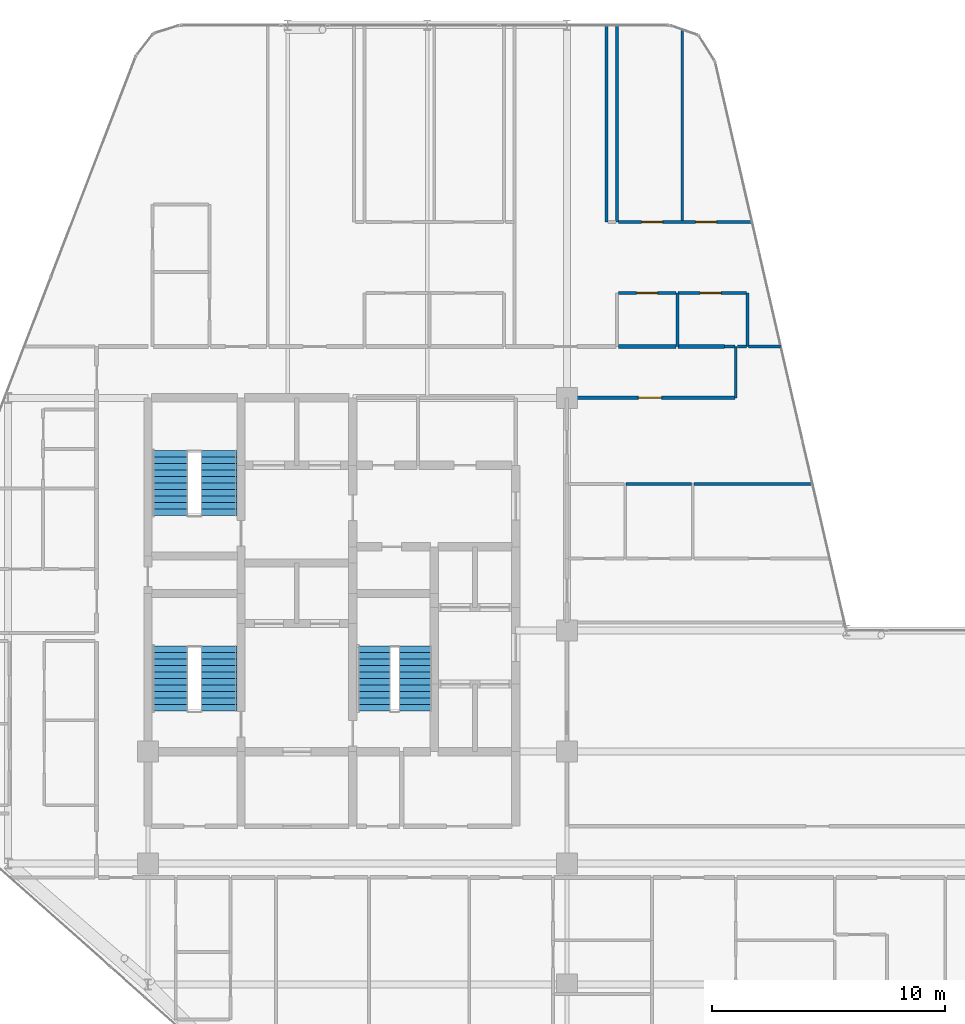
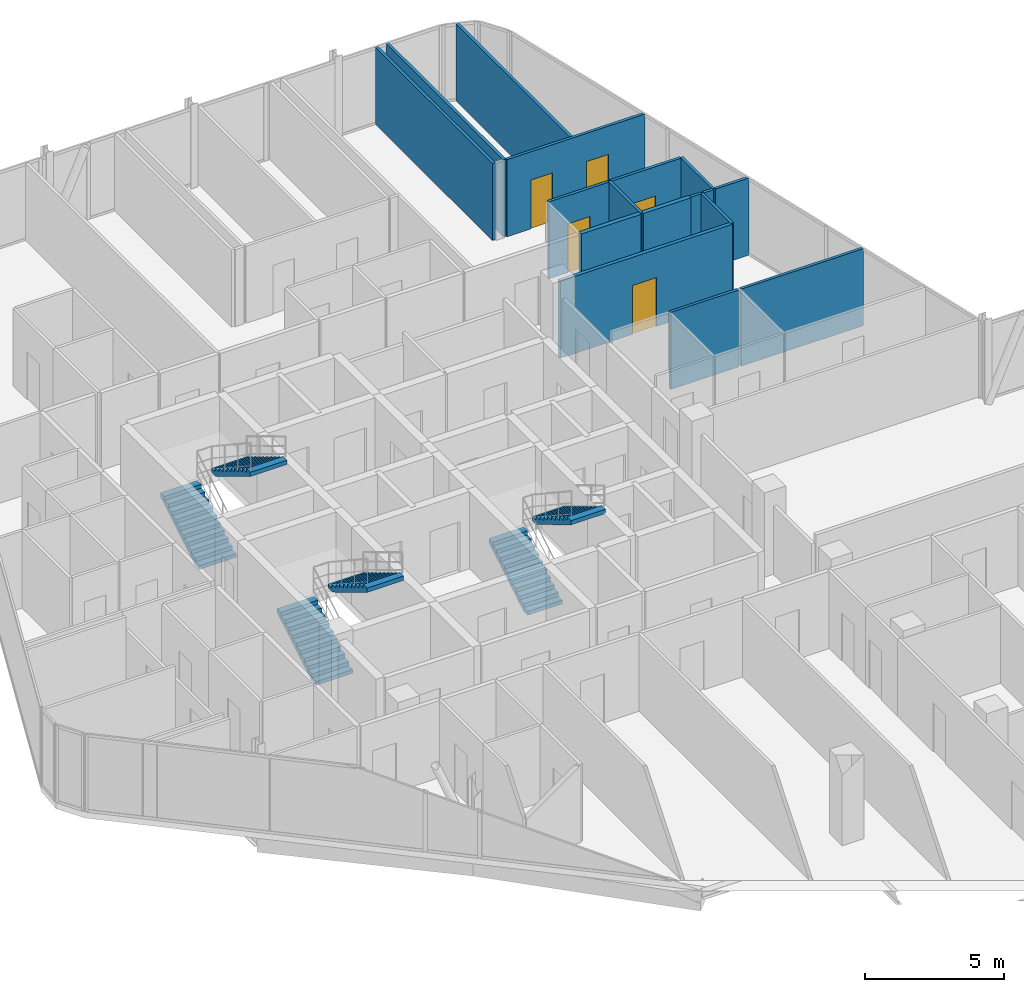
# One storey, part 28 of 29: 17 walls, 6 stair flights, 5 doors, 5 openings, 3 elements without a shape of their own.
"""IFC4 building model written with IfcOpenShell, lengths in metres."""

import ifcopenshell
import ifcopenshell.guid

model = None  # the IFC model being written
_history = None  # IfcOwnerHistory: only IFC2X3 demands one
_inside = {}  # id of a spatial element -> (the spatial element, [elements in it])
_under = {}  # id of a project, library or spatial element -> (it, [spatial elements below it])
_declared = {}  # id of a project -> (the project, [libraries it declares])
_typed = {}  # id of a type object -> (the type object, [elements of that type])
_made_of = {}  # id of a material, layer set ... -> (it, [elements and type objects made of it])


def new_model(schema):
    """Start an empty IFC model of exactly this schema.

    Asked for "IFC4X3", IfcOpenShell would pick the latest addendum, in which some entities
    have other attributes; the version numbers below select the first issue.
    IFC2X3 requires an IfcOwnerHistory on every rooted entity: one is made here for all.
    """
    global model, _history
    if schema == "IFC4X3":
        model = ifcopenshell.file(schema_version=(4, 3, 0, 0))
    else:
        model = ifcopenshell.file(schema=schema)
    _inside.clear()
    _under.clear()
    _declared.clear()
    _typed.clear()
    _made_of.clear()
    _history = None
    if model.schema == "IFC2X3":
        org = make("IfcOrganization", Name="unknown")
        user = make(
            "IfcPersonAndOrganization",
            ThePerson=make("IfcPerson", FamilyName="unknown"),
            TheOrganization=org,
        )
        app = make(
            "IfcApplication",
            ApplicationDeveloper=org,
            Version="unknown",
            ApplicationFullName="unknown",
            ApplicationIdentifier="unknown",
        )
        _history = make(
            "IfcOwnerHistory",
            OwningUser=user,
            OwningApplication=app,
            ChangeAction="ADDED",
            CreationDate=0,
        )
    return model


def make(cls, **values):
    """One entity of the class cls with the attributes given. An attribute that is None is left unset."""
    return model.create_entity(
        cls, **{name: value for name, value in values.items() if value is not None}
    )


def rooted(cls, **values):
    """An entity with a GlobalId (a new one), such as an element, a storey or a relation."""
    return make(cls, GlobalId=ifcopenshell.guid.new(), OwnerHistory=_history, **values)


def si_unit(unit_type, name, prefix=None):
    """IfcSIUnit, for example si_unit("LENGTHUNIT", "METRE", prefix="MILLI")."""
    return make("IfcSIUnit", UnitType=unit_type, Prefix=prefix, Name=name)


def assignment(units):
    """IfcUnitAssignment: the units of a project."""
    return None if units is None else make("IfcUnitAssignment", Units=units)


def point(xyz):
    """IfcCartesianPoint."""
    return None if xyz is None else make("IfcCartesianPoint", Coordinates=xyz)


def direction(xyz):
    """IfcDirection."""
    return None if xyz is None else make("IfcDirection", DirectionRatios=xyz)


def frame(location, z_axis=None, x_axis=None):
    """IfcAxis2Placement3D, a coordinate frame: its origin and axes. An axis left out is left unset."""
    return make(
        "IfcAxis2Placement3D",
        Location=point(location),
        Axis=direction(z_axis),
        RefDirection=direction(x_axis),
    )


def frame_2d(location, x_axis=None):
    """IfcAxis2Placement2D, a coordinate frame in the plane: its origin and x axis."""
    return make(
        "IfcAxis2Placement2D", Location=point(location), RefDirection=direction(x_axis)
    )


def origin():
    """The frame at (0, 0, 0) with its axes left unset."""
    return frame((0.0, 0.0, 0.0))


def place(relative_to, where):
    """IfcLocalPlacement: puts the frame where relative to a parent placement (None: the world)."""
    return make(
        "IfcLocalPlacement", PlacementRelTo=relative_to, RelativePlacement=where
    )


def context(
    kind, dimensions, precision=None, world=None, true_north=None, identifier=None
):
    """IfcGeometricRepresentationContext, for example the 3D "Model" context."""
    return make(
        "IfcGeometricRepresentationContext",
        ContextIdentifier=identifier,
        ContextType=kind,
        CoordinateSpaceDimension=dimensions,
        Precision=precision,
        WorldCoordinateSystem=world,
        TrueNorth=true_north,
    )


def subcontext(parent, identifier, kind, view, scale=None):
    """IfcGeometricRepresentationSubContext, for example "Body" below "Model"."""
    return make(
        "IfcGeometricRepresentationSubContext",
        ContextIdentifier=identifier,
        ContextType=kind,
        ParentContext=parent,
        TargetScale=scale,
        TargetView=view,
    )


def project(units=None, contexts=None):
    """IfcProject with its units and contexts."""
    return rooted(
        "IfcProject",
        Name="project",
        RepresentationContexts=contexts,
        UnitsInContext=assignment(units),
    )


def spatial(cls, under=None, at=None, **own):
    """A site, building, storey or space (cls), placed at a placement, below another one or the project."""
    s = rooted(cls, ObjectPlacement=at, **own)
    if under is not None:
        _under.setdefault(under.id(), (under, []))[1].append(s)
    return s


def polyline(points):
    """IfcPolyline through the points."""
    return make("IfcPolyline", Points=[point(p) for p in points])


def profile(cls, at=None, kind="AREA", **sizes):
    """A parametric profile (cls). Its sizes go by their IFC names, for example OverallWidth=200.0."""
    return make(cls, ProfileType=kind, Position=at, **sizes)


def rectangle(**sizes):
    """IfcRectangleProfileDef."""
    return profile("IfcRectangleProfileDef", **sizes)


def outline(outer, holes=None, kind="AREA"):
    """IfcArbitraryClosedProfileDef: a profile drawn as a closed curve; with holes, ...WithVoids."""
    if holes is None:
        return make("IfcArbitraryClosedProfileDef", ProfileType=kind, OuterCurve=outer)
    return make(
        "IfcArbitraryProfileDefWithVoids",
        ProfileType=kind,
        OuterCurve=outer,
        InnerCurves=holes,
    )


def extrude(swept, where, along, depth):
    """IfcExtrudedAreaSolid: the profile swept, set in the frame where, extruded along a direction by depth."""
    return make(
        "IfcExtrudedAreaSolid",
        SweptArea=swept,
        Position=where,
        ExtrudedDirection=direction(along),
        Depth=depth,
    )


def shape(context_of_items, identifier, shape_type, items):
    """IfcShapeRepresentation: the items that make up one representation, for example the "Body"."""
    return make(
        "IfcShapeRepresentation",
        ContextOfItems=context_of_items,
        RepresentationIdentifier=identifier,
        RepresentationType=shape_type,
        Items=items,
    )


def material(Name=None, Category=None):
    """IfcMaterial."""
    return make("IfcMaterial", Name=Name, Category=Category)


def layer(
    of_material, thickness, ventilated=None, Name=None, Category=None, Priority=None
):
    """IfcMaterialLayer: one layer of a wall or slab, of a material (None: an air gap)."""
    return make(
        "IfcMaterialLayer",
        Material=of_material,
        LayerThickness=thickness,
        IsVentilated=ventilated,
        Name=Name,
        Category=Category,
        Priority=Priority,
    )


def layer_set(layers, Name=None):
    """IfcMaterialLayerSet."""
    return make("IfcMaterialLayerSet", MaterialLayers=layers, LayerSetName=Name)


def made_of(thing, what):
    """Note that an element or type object is made of a material, layer set ...; save() writes the relation."""
    if what is not None:
        _made_of.setdefault(what.id(), (what, []))[1].append(thing)
    return thing


def type_object(cls, material=None, **own):
    """A type object (cls), such as IfcWallType, which elements share."""
    return made_of(rooted(cls, **own), material)


def element(
    cls,
    number,
    at=None,
    inside=None,
    cuts=None,
    type_object=None,
    material=None,
    context=None,
    identifier="Body",
    shape_type=None,
    held_by="IfcProductDefinitionShape",
    body=None,
    shapes=None,
    **own,
):
    """One element of the class cls, such as IfcWall. Its Tag is "e" and its number.

    at: its placement. inside: the storey or other place that contains it. cuts: it is an
    opening in that element (IfcRelVoidsElement). A single representation is given by context,
    identifier, shape_type and body (its items); several are given by shapes. held_by: the class
    of the entity that holds the representations. save() writes the other relations.
    """
    e = rooted(cls, Tag="e%d" % number, ObjectPlacement=at, **own)
    if body is not None:
        shapes = [shape(context, identifier, shape_type, body)]
    if shapes is not None:
        e.Representation = make(held_by, Representations=shapes)
    if inside is not None:
        _inside.setdefault(inside.id(), (inside, []))[1].append(e)
    if cuts is not None:
        rooted(
            "IfcRelVoidsElement", RelatingBuildingElement=cuts, RelatedOpeningElement=e
        )
    if type_object is not None:
        _typed.setdefault(type_object.id(), (type_object, []))[1].append(e)
    return made_of(e, material)


def fill(opening, filler):
    """IfcRelFillsElement: the door or window that sits in an opening."""
    return rooted(
        "IfcRelFillsElement",
        RelatingOpeningElement=opening,
        RelatedBuildingElement=filler,
    )


def aggregate(whole, parts):
    """IfcRelAggregates: a whole, such as a stair, and the parts it consists of."""
    return rooted("IfcRelAggregates", RelatingObject=whole, RelatedObjects=parts)


def save(model, path):
    """Write the relations noted so far, then the file.

    IfcRelAggregates (storeys below a building ...), IfcRelContainedInSpatialStructure (elements
    in a storey), IfcRelDefinesByType, IfcRelAssociatesMaterial and IfcRelDeclares: one each for
    every whole, place, type object, material and project.
    """
    for whole, parts in _under.values():
        aggregate(whole, parts)
    for where, things in _inside.values():
        rooted(
            "IfcRelContainedInSpatialStructure",
            RelatedElements=things,
            RelatingStructure=where,
        )
    for kind, things in _typed.values():
        rooted("IfcRelDefinesByType", RelatedObjects=things, RelatingType=kind)
    for what, things in _made_of.values():
        rooted("IfcRelAssociatesMaterial", RelatedObjects=things, RelatingMaterial=what)
    for by, libraries in _declared.values():
        rooted("IfcRelDeclares", RelatingContext=by, RelatedDefinitions=libraries)
    model.write(path)


model = new_model("IFC4")

# Units and contexts
model_context = context("Model", 3, precision=1e-05, world=origin(), true_north=direction((0.0, 1.0)))
body_context = subcontext(model_context, "Body", "Model", "MODEL_VIEW")
ifc_project = project(units=[si_unit("LENGTHUNIT", "METRE"), si_unit("AREAUNIT", "SQUARE_METRE"), si_unit("VOLUMEUNIT", "CUBIC_METRE"), si_unit("PLANEANGLEUNIT", "RADIAN"), si_unit("MASSUNIT", "GRAM", prefix="KILO")], contexts=[model_context])

# Site, building, storey
site_placement = place(None, origin())
site = spatial("IfcSite", under=ifc_project, at=site_placement, CompositionType="ELEMENT")
building_placement = place(site_placement, origin())
building = spatial("IfcBuilding", under=site, at=building_placement, Name="Keshet Zoharim Tower", CompositionType="ELEMENT")
storey_placement = place(building_placement, frame((0.0, 0.0, 199.5)))
storey = spatial("IfcBuildingStorey", under=building, at=storey_placement, Name="L49", CompositionType="ELEMENT", Elevation=199.5)

# Wall, opening, door
ifc_material_1 = material(Name="Gypsum Plasterboard", Category="gypsum")
ifc_layer_1 = layer(ifc_material_1, 0.14990234375)
ifc_layer_set_1 = layer_set([ifc_layer_1], Name="Gypsum Plasterboard")
wall_type_1 = type_object("IfcWallType", Name="WL-CLIN-150", PredefinedType="STANDARD", material=ifc_layer_set_1)
wall_1_placement = place(storey_placement, frame((33.06005859375, 37.89990234375, 0.0), z_axis=(0.0, 0.0, 1.0), x_axis=(1.0, 0.0, 0.0)))
wall_1 = element("IfcWall", 1, at=wall_1_placement, inside=storey, type_object=wall_type_1, Name="L49 Interior Wall 179", PredefinedType="STANDARD", context=body_context, shape_type="SweptSolid", body=[
    extrude(rectangle(XDim=7.1640625, YDim=0.14990234375, at=frame_2d((3.58203125, 0.0))), origin(), (0.0, 0.0, 1.0), 3.389892578125),
])
opening_1_placement = place(wall_1_placement, frame((3.00390625, 0.0, 0.0)))
opening_1 = element("IfcOpeningElement", 2, at=opening_1_placement, cuts=wall_1, Name="Opening D-F310", PredefinedType="OPENING", context=body_context, shape_type="SweptSolid", body=[
    extrude(rectangle(XDim=1.0, YDim=2.14990234375, at=frame_2d((0.5, 1.074951171875))), frame((0.0, 0.0849609375, 0.0), z_axis=(0.0, -1.0, 0.0), x_axis=(1.0, 0.0, 0.0)), (0.0, 0.0, 1.0), 0.169921875),
])
ifc_material_2 = material(Name="Hardwood Timber", Category="wood")
door_type_1 = type_object("IfcDoorType", Name="DR-FD30-100", OperationType="NOTDEFINED", PredefinedType="DOOR", material=ifc_material_2)
door_1_placement = place(opening_1_placement, origin())
door_1 = element("IfcDoor", 3, at=door_1_placement, inside=storey, type_object=door_type_1, Name="L49 North West Residents Services Suite Door 1", OperationType="SINGLE_SWING_LEFT", OverallHeight=2.14990234375, OverallWidth=1.0, PredefinedType="DOOR", context=body_context, shape_type="SweptSolid", body=[
    extrude(rectangle(XDim=1.0, YDim=2.14990234375, at=frame_2d((0.5, 1.074951171875))), frame((0.0, 0.02490234375, 0.0), z_axis=(0.0, -1.0, 0.0), x_axis=(1.0, 0.0, 0.0)), (0.0, 0.0, 1.0), 0.050048828125),
])
fill(opening_1, door_1)

# Walls
ifc_layer_2 = layer(ifc_material_1, 0.179931640625)
ifc_layer_set_2 = layer_set([ifc_layer_2], Name="Gypsum Plasterboard")
wall_type_2 = type_object("IfcWallType", Name="WL-CORR-180", PredefinedType="STANDARD", material=ifc_layer_set_2)
wall_2_placement = place(storey_placement, frame((35.205078125, 40.10009765625, 0.0), z_axis=(0.0, 0.0, 1.0), x_axis=(1.0, 0.0, 0.0)))
element("IfcWall", 4, at=wall_2_placement, inside=storey, type_object=wall_type_2, Name="L49 Interior Wall 188", PredefinedType="STANDARD", context=body_context, shape_type="SweptSolid", body=[
    extrude(rectangle(XDim=2.48193359375, YDim=0.179931640625, at=frame_2d((1.240966796875, 0.0))), origin(), (0.0, 0.0, 1.0), 3.389892578125),
])
wall_3_placement = place(storey_placement, frame((37.777099609375, 40.10009765625, 0.0), z_axis=(0.0, 0.0, 1.0), x_axis=(1.0, 0.0, 0.0)))
element("IfcWall", 5, at=wall_3_placement, inside=storey, type_object=wall_type_2, Name="L49 Interior Wall 189", PredefinedType="STANDARD", context=body_context, shape_type="SweptSolid", body=[
    extrude(rectangle(XDim=1.98583984375, YDim=0.179931640625, at=frame_2d((0.992919921875, 0.0))), origin(), (0.0, 0.0, 1.0), 3.389892578125),
])
ifc_layer_3 = layer(ifc_material_1, 0.1201171875)
ifc_layer_set_3 = layer_set([ifc_layer_3], Name="Gypsum Plasterboard")
wall_type_3 = type_object("IfcWallType", Name="WL-PART-120", PredefinedType="PARTITIONING", material=ifc_layer_set_3)
for number, where, z_axis, x_axis, name in (
    (6, (34.699951171875, 45.449951171875, 0.0), (0.0, 0.0, 1.0), (0.0, 1.0, 0.0), "L49 Interior Wall 075"),
    (7, (35.14990234375, 45.449951171875, 0.0), (0.0, 0.0, 1.0), (0.0, 1.0, 0.0), "L49 Interior Wall 077"),
):
    element("IfcWall", number, at=place(storey_placement, frame(where, z_axis=z_axis, x_axis=x_axis)), inside=storey, type_object=wall_type_3, Name=name, PredefinedType="PARTITIONING", context=body_context, shape_type="SweptSolid", body=[
        extrude(rectangle(XDim=8.43994140625, YDim=0.1201171875, at=frame_2d((4.219970703125, 0.0))), origin(), (0.0, 0.0, 1.0), 3.389892578125),
    ])
wall_4_placement = place(storey_placement, frame((37.949951171875, 45.449951171875, 0.0), z_axis=(0.0, 0.0, 1.0), x_axis=(0.0, 1.0, 0.0)))
element("IfcWall", 8, at=wall_4_placement, inside=storey, type_object=wall_type_3, Name="L49 Interior Wall 083", PredefinedType="PARTITIONING", context=body_context, shape_type="SweptSolid", body=[
    extrude(rectangle(XDim=8.2509765625, YDim=0.1201171875, at=frame_2d((4.12548828125, 0.0))), origin(), (0.0, 0.0, 1.0), 3.389892578125),
])
wall_5_placement = place(storey_placement, frame((40.25, 37.89990234375, 0.0), z_axis=(0.0, 0.0, 1.0), x_axis=(0.0, 1.0, 0.0)))
element("IfcWall", 9, at=wall_5_placement, inside=storey, type_object=wall_type_3, Name="L49 Interior Wall 088", PredefinedType="PARTITIONING", context=body_context, shape_type="SweptSolid", body=[
    extrude(rectangle(XDim=2.2001953125, YDim=0.1201171875, at=frame_2d((1.10009765625, 0.0))), origin(), (0.0, 0.0, 1.0), 3.389892578125),
])
wall_6_placement = place(storey_placement, frame((38.445068359375, 34.199951171875, 0.0), z_axis=(0.0, 0.0, 1.0), x_axis=(1.0, 0.0, 0.0)))
element("IfcWall", 10, at=wall_6_placement, inside=storey, type_object=wall_type_3, Name="L49 Interior Wall 169", PredefinedType="PARTITIONING", context=body_context, shape_type="SweptSolid", body=[
    extrude(rectangle(XDim=5.0908203125, YDim=0.1201171875, at=frame_2d((2.54541015625, 0.0))), origin(), (0.0, 0.0, 1.0), 3.389892578125),
])
wall_7_placement = place(storey_placement, frame((40.797119140625, 40.10009765625, 0.0), z_axis=(0.0, 0.0, 1.0), x_axis=(1.0, 0.0, 0.0)))
element("IfcWall", 11, at=wall_7_placement, inside=storey, type_object=wall_type_3, Name="L49 Interior Wall 192", PredefinedType="PARTITIONING", context=body_context, shape_type="SweptSolid", body=[
    extrude(rectangle(XDim=1.3779296875, YDim=0.1201171875, at=frame_2d((0.68896484375, 0.0))), origin(), (0.0, 0.0, 1.0), 3.389892578125),
])

# Wall, opening, door
wall_8_placement = place(storey_placement, frame((35.205078125, 42.39990234375, 0.0), z_axis=(0.0, 0.0, 1.0), x_axis=(1.0, 0.0, 0.0)))
wall_8 = element("IfcWall", 12, at=wall_8_placement, inside=storey, type_object=wall_type_3, Name="L49 Interior Wall 195", PredefinedType="PARTITIONING", context=body_context, shape_type="SweptSolid", body=[
    extrude(rectangle(XDim=2.48193359375, YDim=0.1201171875, at=frame_2d((1.240966796875, 0.0))), origin(), (0.0, 0.0, 1.0), 3.389892578125),
])
opening_2_placement = place(wall_8_placement, frame((0.791015625, 0.0, 0.0)))
opening_2 = element("IfcOpeningElement", 13, at=opening_2_placement, cuts=wall_8, Name="Opening D-IN90", PredefinedType="OPENING", context=body_context, shape_type="SweptSolid", body=[
    extrude(rectangle(XDim=0.89990234375, YDim=2.14990234375, at=frame_2d((0.449951171875, 1.074951171875))), frame((0.0, 0.070068359375, 0.0), z_axis=(0.0, -1.0, 0.0), x_axis=(1.0, 0.0, 0.0)), (0.0, 0.0, 1.0), 0.14013671875),
])
door_type_2 = type_object("IfcDoorType", Name="DR-INT-090", OperationType="NOTDEFINED", PredefinedType="DOOR", material=ifc_material_2)
door_2_placement = place(opening_2_placement, origin())
door_2 = element("IfcDoor", 14, at=door_2_placement, inside=storey, type_object=door_type_2, Name="Apartment 4907 Kitchen Door", OperationType="SINGLE_SWING_LEFT", OverallHeight=2.14990234375, OverallWidth=0.89990234375, PredefinedType="DOOR", context=body_context, shape_type="SweptSolid", body=[
    extrude(rectangle(XDim=0.89990234375, YDim=2.14990234375, at=frame_2d((0.449951171875, 1.074951171875))), frame((0.0, 0.02490234375, 0.0), z_axis=(0.0, -1.0, 0.0), x_axis=(1.0, 0.0, 0.0)), (0.0, 0.0, 1.0), 0.050048828125),
])
fill(opening_2, door_2)

# Wall, openings, doors
wall_9_placement = place(storey_placement, frame((35.205078125, 45.449951171875, 0.0), z_axis=(0.0, 0.0, 1.0), x_axis=(1.0, 0.0, 0.0)))
wall_9 = element("IfcWall", 15, at=wall_9_placement, inside=storey, type_object=wall_type_3, Name="L49 Interior Wall 202", PredefinedType="PARTITIONING", context=body_context, shape_type="SweptSolid", body=[
    extrude(rectangle(XDim=5.73486328125, YDim=0.1201171875, at=frame_2d((2.867431640625, 0.0))), origin(), (0.0, 0.0, 1.0), 3.389892578125),
])
opening_3_placement = place(wall_9_placement, frame((1.00390625, 0.0, 0.0)))
opening_3 = element("IfcOpeningElement", 16, at=opening_3_placement, cuts=wall_9, Name="Opening D-IN90", PredefinedType="OPENING", context=body_context, shape_type="SweptSolid", body=[
    extrude(rectangle(XDim=0.89990234375, YDim=2.14990234375, at=frame_2d((0.449951171875, 1.074951171875))), frame((0.0, 0.070068359375, 0.0), z_axis=(0.0, -1.0, 0.0), x_axis=(1.0, 0.0, 0.0)), (0.0, 0.0, 1.0), 0.14013671875),
])
opening_4_placement = place(wall_9_placement, frame((3.321044921875, 0.0, 0.0)))
opening_4 = element("IfcOpeningElement", 17, at=opening_4_placement, cuts=wall_9, Name="Opening D-IN90", PredefinedType="OPENING", context=body_context, shape_type="SweptSolid", body=[
    extrude(rectangle(XDim=0.89990234375, YDim=2.14990234375, at=frame_2d((0.449951171875, 1.074951171875))), frame((0.0, 0.070068359375, 0.0), z_axis=(0.0, -1.0, 0.0), x_axis=(1.0, 0.0, 0.0)), (0.0, 0.0, 1.0), 0.14013671875),
])
door_3_placement = place(opening_3_placement, origin())
door_3 = element("IfcDoor", 18, at=door_3_placement, inside=storey, type_object=door_type_2, Name="Apartment 4907 Bedroom 1 Door", OperationType="SINGLE_SWING_LEFT", OverallHeight=2.14990234375, OverallWidth=0.89990234375, PredefinedType="DOOR", context=body_context, shape_type="SweptSolid", body=[
    extrude(rectangle(XDim=0.89990234375, YDim=2.14990234375, at=frame_2d((0.449951171875, 1.074951171875))), frame((0.0, 0.02490234375, 0.0), z_axis=(0.0, -1.0, 0.0), x_axis=(1.0, 0.0, 0.0)), (0.0, 0.0, 1.0), 0.050048828125),
])
fill(opening_3, door_3)
door_4_placement = place(opening_4_placement, origin())
door_4 = element("IfcDoor", 19, at=door_4_placement, inside=storey, type_object=door_type_2, Name="Apartment 4907 Bedroom 2 Door", OperationType="SINGLE_SWING_RIGHT", OverallHeight=2.14990234375, OverallWidth=0.89990234375, PredefinedType="DOOR", context=body_context, shape_type="SweptSolid", body=[
    extrude(rectangle(XDim=0.89990234375, YDim=2.14990234375, at=frame_2d((0.449951171875, 1.074951171875))), frame((0.0, 0.02490234375, 0.0), z_axis=(0.0, -1.0, 0.0), x_axis=(1.0, 0.0, 0.0)), (0.0, 0.0, 1.0), 0.050048828125),
])
fill(opening_4, door_4)

# Walls
ifc_layer_4 = layer(ifc_material_1, 0.1201171875)
ifc_layer_set_4 = layer_set([ifc_layer_4], Name="Gypsum Plasterboard")
wall_type_4 = type_object("IfcWallType", Name="WL-WET-120", PredefinedType="PARTITIONING", material=ifc_layer_set_4)
for number, where, z_axis, x_axis, name in (
    (20, (37.75, 40.10009765625, 0.0), (0.0, 0.0, 1.0), (0.0, 1.0, 0.0), "L49 Interior Wall 082"),
    (21, (40.75, 40.10009765625, 0.0), (0.0, 0.0, 1.0), (0.0, 1.0, 0.0), "L49 Interior Wall 089"),
):
    element("IfcWall", number, at=place(storey_placement, frame(where, z_axis=z_axis, x_axis=x_axis)), inside=storey, type_object=wall_type_4, Name=name, PredefinedType="PARTITIONING", context=body_context, shape_type="SweptSolid", body=[
        extrude(rectangle(XDim=2.2998046875, YDim=0.1201171875, at=frame_2d((1.14990234375, 0.0))), origin(), (0.0, 0.0, 1.0), 3.389892578125),
    ])
wall_10_placement = place(storey_placement, frame((35.529052734375, 34.199951171875, 0.0), z_axis=(0.0, 0.0, 1.0), x_axis=(1.0, 0.0, 0.0)))
element("IfcWall", 22, at=wall_10_placement, inside=storey, type_object=wall_type_4, Name="L49 Interior Wall 168", PredefinedType="PARTITIONING", context=body_context, shape_type="SweptSolid", body=[
    extrude(rectangle(XDim=2.825927734375, YDim=0.1201171875, at=frame_2d((1.4130859375, 0.0))), origin(), (0.0, 0.0, 1.0), 3.389892578125),
])
wall_11_placement = place(storey_placement, frame((39.762939453125, 40.10009765625, 0.0), z_axis=(0.0, 0.0, 1.0), x_axis=(1.0, 0.0, 0.0)))
element("IfcWall", 23, at=wall_11_placement, inside=storey, type_object=wall_type_4, Name="L49 Interior Wall 190", PredefinedType="PARTITIONING", context=body_context, shape_type="SweptSolid", body=[
    extrude(rectangle(XDim=0.462158203125, YDim=0.1201171875, at=frame_2d((0.23095703125, 0.0))), origin(), (0.0, 0.0, 1.0), 3.389892578125),
])
wall_12_placement = place(storey_placement, frame((40.31494140625, 40.10009765625, 0.0), z_axis=(0.0, 0.0, 1.0), x_axis=(1.0, 0.0, 0.0)))
element("IfcWall", 24, at=wall_12_placement, inside=storey, type_object=wall_type_4, Name="L49 Interior Wall 191", PredefinedType="PARTITIONING", context=body_context, shape_type="SweptSolid", body=[
    extrude(rectangle(XDim=0.39208984375, YDim=0.1201171875, at=frame_2d((0.196044921875, 0.0))), origin(), (0.0, 0.0, 1.0), 3.389892578125),
])

# Wall, opening, door
wall_13_placement = place(storey_placement, frame((37.777099609375, 42.39990234375, 0.0), z_axis=(0.0, 0.0, 1.0), x_axis=(1.0, 0.0, 0.0)))
wall_13 = element("IfcWall", 25, at=wall_13_placement, inside=storey, type_object=wall_type_4, Name="L49 Interior Wall 196", PredefinedType="PARTITIONING", context=body_context, shape_type="SweptSolid", body=[
    extrude(rectangle(XDim=2.929931640625, YDim=0.1201171875, at=frame_2d((1.46484375, 0.0))), origin(), (0.0, 0.0, 1.0), 3.389892578125),
])
opening_5_placement = place(wall_13_placement, frame((0.94189453125, 0.0, 0.0)))
opening_5 = element("IfcOpeningElement", 26, at=opening_5_placement, cuts=wall_13, Name="Opening D-WT90", PredefinedType="OPENING", context=body_context, shape_type="SweptSolid", body=[
    extrude(rectangle(XDim=0.89990234375, YDim=2.10009765625, at=frame_2d((0.449951171875, 1.050048828125))), frame((0.0, 0.070068359375, 0.0), z_axis=(0.0, -1.0, 0.0), x_axis=(1.0, 0.0, 0.0)), (0.0, 0.0, 1.0), 0.14013671875),
])
door_type_3 = type_object("IfcDoorType", Name="DR-WET-090", OperationType="NOTDEFINED", PredefinedType="DOOR", material=ifc_material_2)
door_5_placement = place(opening_5_placement, origin())
door_5 = element("IfcDoor", 27, at=door_5_placement, inside=storey, type_object=door_type_3, Name="Apartment 4907 Bathroom Door", OperationType="SINGLE_SWING_RIGHT", OverallHeight=2.10009765625, OverallWidth=0.89990234375, PredefinedType="DOOR", context=body_context, shape_type="SweptSolid", body=[
    extrude(rectangle(XDim=0.89990234375, YDim=2.10009765625, at=frame_2d((0.449951171875, 1.050048828125))), frame((0.0, 0.02490234375, 0.0), z_axis=(0.0, -1.0, 0.0), x_axis=(1.0, 0.0, 0.0)), (0.0, 0.0, 1.0), 0.050048828125),
])
fill(opening_5, door_5)

# Stair, stair flights
ifc_material_3 = material(Name="Concrete C50/60", Category="concrete")
stair_type = type_object("IfcStairType", Name="STR-EXIT-135", PredefinedType="HALF_TURN_STAIR", material=ifc_material_3)
stair_1_placement = place(storey_placement, origin())
stair_1 = element("IfcStair", 28, at=stair_1_placement, inside=storey, type_object=stair_type, Name="L49 Enclosed Exit Stair ST-01", PredefinedType="HALF_TURN_STAIR")
stair_flight_type_1 = type_object("IfcStairFlightType", Name="FLT-PRE-135", PredefinedType="STRAIGHT", material=ifc_material_3)
stair_flight_1_placement = place(storey_placement, frame((15.945068359375, 24.43994140625, 0.0), z_axis=(0.0, 0.0, 1.0), x_axis=(0.0, 1.0, 0.0)))
stair_flight_1 = element("IfcStairFlight", 29, at=stair_flight_1_placement, type_object=stair_flight_type_1, Name="ST-01 flight 1", NumberOfRisers=11, NumberOfTreads=10, PredefinedType="STRAIGHT", RiserHeight=0.168182, TreadLength=0.28, context=body_context, shape_type="SweptSolid", body=[
    extrude(outline(polyline([(0.0, 0.0), (0.0, 0.168212890625), (0.280029296875, 0.168212890625), (0.280029296875, 0.33642578125), (0.56005859375, 0.33642578125), (0.56005859375, 0.504638671875), (0.840087890625, 0.504638671875), (0.840087890625, 0.672607421875), (1.1201171875, 0.672607421875), (1.1201171875, 0.8408203125), (1.39990234375, 0.8408203125), (1.39990234375, 1.009033203125), (1.679931640625, 1.009033203125), (1.679931640625, 1.17724609375), (1.9599609375, 1.17724609375), (1.9599609375, 1.345458984375), (2.239990234375, 1.345458984375), (2.239990234375, 1.513671875), (2.52001953125, 1.513671875), (2.52001953125, 1.681884765625), (2.800048828125, 1.681884765625), (2.800048828125, 1.85009765625), (2.800048828125, 1.495361328125), (0.310546875, 0.0), (0.0, 0.0)])), frame((0.0, 0.76513671875, 0.0), z_axis=(0.0, -1.0, 0.0), x_axis=(1.0, 0.0, 0.0)), (0.0, 0.0, 1.0), 1.530029296875),
])
stair_flight_2_placement = place(storey_placement, frame((18.054931640625, 27.239990234375, 1.85009765625), z_axis=(0.0, 0.0, 1.0), x_axis=(0.0, -1.0, 0.0)))
stair_flight_2 = element("IfcStairFlight", 30, at=stair_flight_2_placement, type_object=stair_flight_type_1, Name="ST-01 flight 2", NumberOfRisers=11, NumberOfTreads=10, PredefinedType="STRAIGHT", RiserHeight=0.168182, TreadLength=0.28, context=body_context, shape_type="SweptSolid", body=[
    extrude(outline(polyline([(0.0, 0.0), (0.0, 0.168212890625), (0.280029296875, 0.168212890625), (0.280029296875, 0.33642578125), (0.56005859375, 0.33642578125), (0.56005859375, 0.504638671875), (0.840087890625, 0.504638671875), (0.840087890625, 0.672607421875), (1.1201171875, 0.672607421875), (1.1201171875, 0.8408203125), (1.39990234375, 0.8408203125), (1.39990234375, 1.009033203125), (1.679931640625, 1.009033203125), (1.679931640625, 1.17724609375), (1.9599609375, 1.17724609375), (1.9599609375, 1.345458984375), (2.239990234375, 1.345458984375), (2.239990234375, 1.513671875), (2.52001953125, 1.513671875), (2.52001953125, 1.681884765625), (2.800048828125, 1.681884765625), (2.800048828125, 1.85009765625), (2.800048828125, 1.495361328125), (0.310546875, 0.0), (0.0, 0.0)])), frame((0.0, 0.76513671875, 0.0), z_axis=(0.0, -1.0, 0.0), x_axis=(1.0, 0.0, 0.0)), (0.0, 0.0, 1.0), 1.530029296875),
])
aggregate(stair_1, [stair_flight_1, stair_flight_2])

stair_2_placement = place(storey_placement, origin())
stair_2 = element("IfcStair", 31, at=stair_2_placement, inside=storey, type_object=stair_type, Name="L49 Enclosed Exit Stair ST-02", PredefinedType="HALF_TURN_STAIR")
stair_flight_3_placement = place(storey_placement, frame((15.945068359375, 32.840087890625, 0.0), z_axis=(0.0, 0.0, 1.0), x_axis=(0.0, 1.0, 0.0)))
stair_flight_3 = element("IfcStairFlight", 32, at=stair_flight_3_placement, type_object=stair_flight_type_1, Name="ST-02 flight 1", NumberOfRisers=11, NumberOfTreads=10, PredefinedType="STRAIGHT", RiserHeight=0.168182, TreadLength=0.28, context=body_context, shape_type="SweptSolid", body=[
    extrude(outline(polyline([(0.0, 0.0), (0.0, 0.168212890625), (0.280029296875, 0.168212890625), (0.280029296875, 0.33642578125), (0.56005859375, 0.33642578125), (0.56005859375, 0.504638671875), (0.840087890625, 0.504638671875), (0.840087890625, 0.672607421875), (1.1201171875, 0.672607421875), (1.1201171875, 0.8408203125), (1.39990234375, 0.8408203125), (1.39990234375, 1.009033203125), (1.679931640625, 1.009033203125), (1.679931640625, 1.17724609375), (1.9599609375, 1.17724609375), (1.9599609375, 1.345458984375), (2.239990234375, 1.345458984375), (2.239990234375, 1.513671875), (2.52001953125, 1.513671875), (2.52001953125, 1.681884765625), (2.800048828125, 1.681884765625), (2.800048828125, 1.85009765625), (2.800048828125, 1.495361328125), (0.310546875, 0.0), (0.0, 0.0)])), frame((0.0, 0.76513671875, 0.0), z_axis=(0.0, -1.0, 0.0), x_axis=(1.0, 0.0, 0.0)), (0.0, 0.0, 1.0), 1.530029296875),
])
stair_flight_4_placement = place(storey_placement, frame((18.054931640625, 35.639892578125, 1.85009765625), z_axis=(0.0, 0.0, 1.0), x_axis=(0.0, -1.0, 0.0)))
stair_flight_4 = element("IfcStairFlight", 33, at=stair_flight_4_placement, type_object=stair_flight_type_1, Name="ST-02 flight 2", NumberOfRisers=11, NumberOfTreads=10, PredefinedType="STRAIGHT", RiserHeight=0.168182, TreadLength=0.28, context=body_context, shape_type="SweptSolid", body=[
    extrude(outline(polyline([(0.0, 0.0), (0.0, 0.168212890625), (0.280029296875, 0.168212890625), (0.280029296875, 0.33642578125), (0.56005859375, 0.33642578125), (0.56005859375, 0.504638671875), (0.840087890625, 0.504638671875), (0.840087890625, 0.672607421875), (1.1201171875, 0.672607421875), (1.1201171875, 0.8408203125), (1.39990234375, 0.8408203125), (1.39990234375, 1.009033203125), (1.679931640625, 1.009033203125), (1.679931640625, 1.17724609375), (1.9599609375, 1.17724609375), (1.9599609375, 1.345458984375), (2.239990234375, 1.345458984375), (2.239990234375, 1.513671875), (2.52001953125, 1.513671875), (2.52001953125, 1.681884765625), (2.800048828125, 1.681884765625), (2.800048828125, 1.85009765625), (2.800048828125, 1.495361328125), (0.310546875, 0.0), (0.0, 0.0)])), frame((0.0, 0.76513671875, 0.0), z_axis=(0.0, -1.0, 0.0), x_axis=(1.0, 0.0, 0.0)), (0.0, 0.0, 1.0), 1.530029296875),
])
aggregate(stair_2, [stair_flight_3, stair_flight_4])

stair_3_placement = place(storey_placement, origin())
stair_3 = element("IfcStair", 34, at=stair_3_placement, inside=storey, type_object=stair_type, Name="L49 Enclosed Exit Stair ST-03", PredefinedType="HALF_TURN_STAIR")
stair_flight_type_2 = type_object("IfcStairFlightType", Name="FLT-PRE-144", PredefinedType="STRAIGHT", material=ifc_material_3)
stair_flight_5_placement = place(storey_placement, frame((24.699951171875, 24.43994140625, 0.0), z_axis=(0.0, 0.0, 1.0), x_axis=(0.0, 1.0, 0.0)))
stair_flight_5 = element("IfcStairFlight", 35, at=stair_flight_5_placement, type_object=stair_flight_type_2, Name="ST-03 flight 1", NumberOfRisers=11, NumberOfTreads=10, PredefinedType="STRAIGHT", RiserHeight=0.168182, TreadLength=0.28, context=body_context, shape_type="SweptSolid", body=[
    extrude(outline(polyline([(0.0, 0.0), (0.0, 0.168212890625), (0.280029296875, 0.168212890625), (0.280029296875, 0.33642578125), (0.56005859375, 0.33642578125), (0.56005859375, 0.504638671875), (0.840087890625, 0.504638671875), (0.840087890625, 0.672607421875), (1.1201171875, 0.672607421875), (1.1201171875, 0.8408203125), (1.39990234375, 0.8408203125), (1.39990234375, 1.009033203125), (1.679931640625, 1.009033203125), (1.679931640625, 1.17724609375), (1.9599609375, 1.17724609375), (1.9599609375, 1.345458984375), (2.239990234375, 1.345458984375), (2.239990234375, 1.513671875), (2.52001953125, 1.513671875), (2.52001953125, 1.681884765625), (2.800048828125, 1.681884765625), (2.800048828125, 1.85009765625), (2.800048828125, 1.495361328125), (0.310546875, 0.0), (0.0, 0.0)])), frame((0.0, 0.719970703125, 0.0), z_axis=(0.0, -1.0, 0.0), x_axis=(1.0, 0.0, 0.0)), (0.0, 0.0, 1.0), 1.43994140625),
])
stair_flight_6_placement = place(storey_placement, frame((26.5, 27.239990234375, 1.85009765625), z_axis=(0.0, 0.0, 1.0), x_axis=(0.0, -1.0, 0.0)))
stair_flight_6 = element("IfcStairFlight", 36, at=stair_flight_6_placement, type_object=stair_flight_type_2, Name="ST-03 flight 2", NumberOfRisers=11, NumberOfTreads=10, PredefinedType="STRAIGHT", RiserHeight=0.168182, TreadLength=0.28, context=body_context, shape_type="SweptSolid", body=[
    extrude(outline(polyline([(0.0, 0.0), (0.0, 0.168212890625), (0.280029296875, 0.168212890625), (0.280029296875, 0.33642578125), (0.56005859375, 0.33642578125), (0.56005859375, 0.504638671875), (0.840087890625, 0.504638671875), (0.840087890625, 0.672607421875), (1.1201171875, 0.672607421875), (1.1201171875, 0.8408203125), (1.39990234375, 0.8408203125), (1.39990234375, 1.009033203125), (1.679931640625, 1.009033203125), (1.679931640625, 1.17724609375), (1.9599609375, 1.17724609375), (1.9599609375, 1.345458984375), (2.239990234375, 1.345458984375), (2.239990234375, 1.513671875), (2.52001953125, 1.513671875), (2.52001953125, 1.681884765625), (2.800048828125, 1.681884765625), (2.800048828125, 1.85009765625), (2.800048828125, 1.495361328125), (0.310546875, 0.0), (0.0, 0.0)])), frame((0.0, 0.719970703125, 0.0), z_axis=(0.0, -1.0, 0.0), x_axis=(1.0, 0.0, 0.0)), (0.0, 0.0, 1.0), 1.43994140625),
])
aggregate(stair_3, [stair_flight_5, stair_flight_6])

save(model, "model.ifc")
